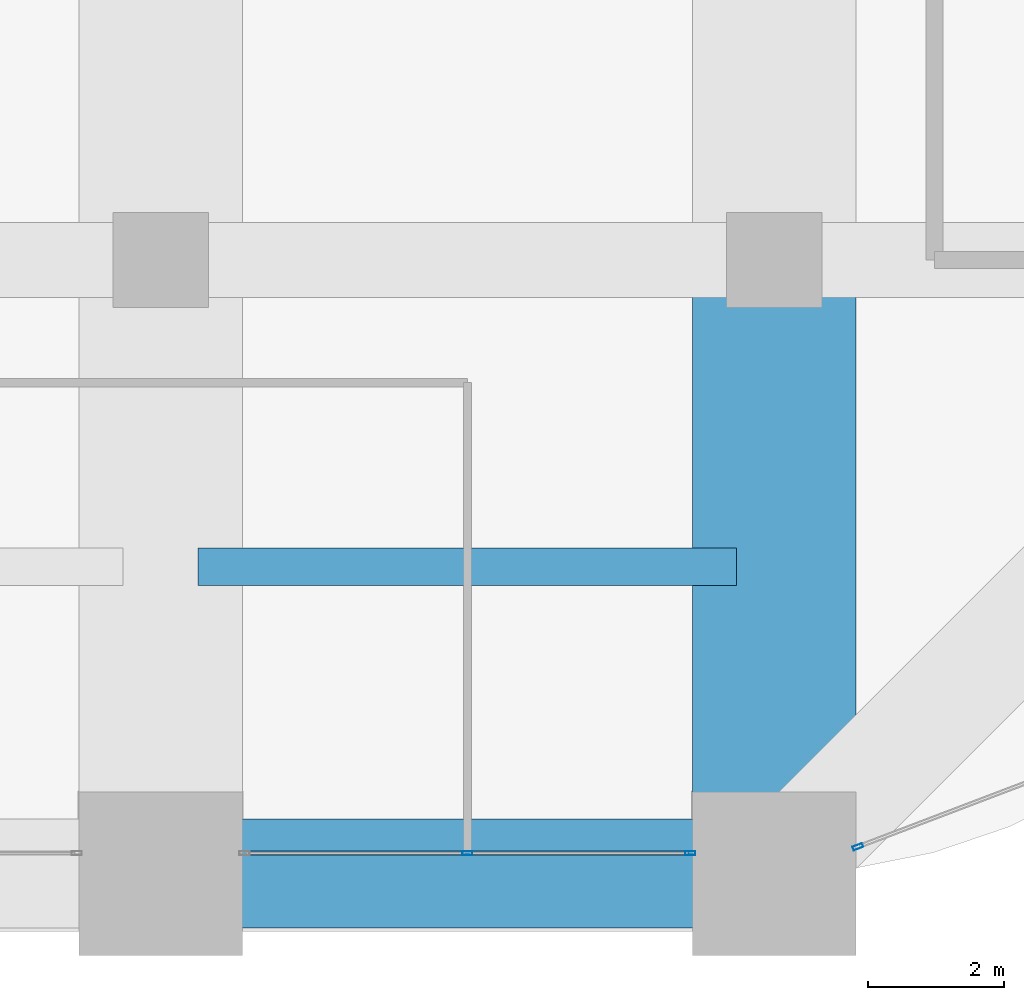
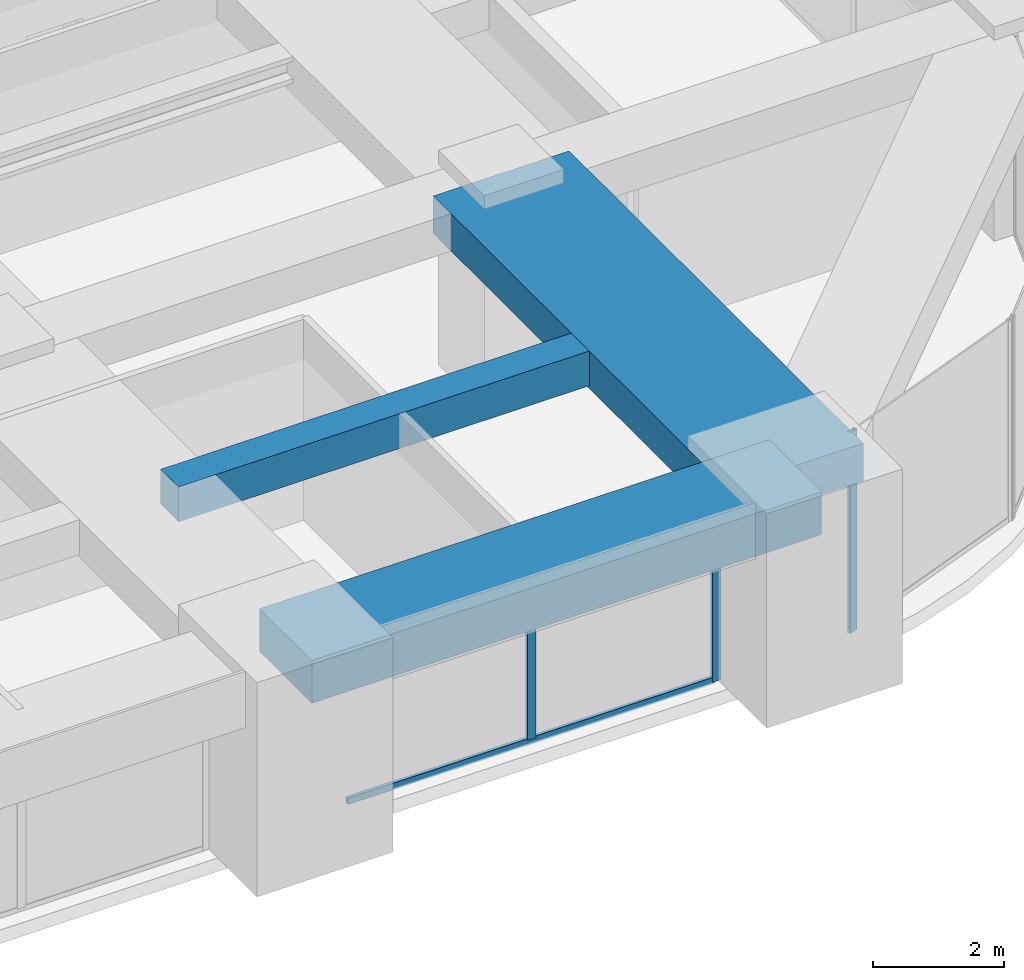
# One storey, part 14 of 34: 4 members, 3 beams, 2 elements without a shape of their own.
"""IFC4 building model written with IfcOpenShell, lengths in metres."""

from ifc_helpers import new_model, si_unit, direction, frame, origin, origin_2d, place, context, subcontext, project, spatial, rectangle, hollow_rectangle, extrude, material, material_profile, profile_set, type_object, element, aggregate, save


model = new_model("IFC4")

# Units and contexts
model_context = context("Model", 3, precision=1e-05, world=origin(), true_north=direction((0.0, 1.0)))
body_context = subcontext(model_context, "Body", "Model", "MODEL_VIEW")
ifc_project = project(units=[si_unit("LENGTHUNIT", "METRE"), si_unit("AREAUNIT", "SQUARE_METRE"), si_unit("VOLUMEUNIT", "CUBIC_METRE"), si_unit("PLANEANGLEUNIT", "RADIAN"), si_unit("MASSUNIT", "GRAM", prefix="KILO")], contexts=[model_context])

# Site, building, storey
site_placement = place(None, origin())
site = spatial("IfcSite", under=ifc_project, at=site_placement, CompositionType="ELEMENT")
building_placement = place(site_placement, origin())
building = spatial("IfcBuilding", under=site, at=building_placement, Name="Zorevar Civic Tower", CompositionType="ELEMENT")
storey_placement = place(building_placement, frame((0.0, 0.0, 226.199951171875)))
storey = spatial("IfcBuildingStorey", under=building, at=storey_placement, Name="L55", CompositionType="ELEMENT", Elevation=226.199951171875)

# Beams
ifc_material_1 = material(Name="Concrete C50/60", Category="concrete")
ifc_material_profile_1 = material_profile(ifc_material_1, rectangle(XDim=2.39990234375, YDim=0.699951171875, at=origin_2d()), Name="RC 2400x700")
ifc_profile_set_1 = profile_set([ifc_material_profile_1], Name="Concrete C50/60")
beam_type_1 = type_object("IfcBeamType", Name="Beam RC 2400x700", PredefinedType="BEAM", material=ifc_profile_set_1)
beam_1_placement = place(storey_placement, frame((45.0, 0.0, 3.400146484375), z_axis=(0.0, 1.0, 0.0), x_axis=(-1.0, 0.0, 0.0)))
element("IfcBeam", 1, at=beam_1_placement, inside=storey, type_object=beam_type_1, Name="Girder L56", PredefinedType="BEAM", context=body_context, shape_type="SweptSolid", body=[
    extrude(rectangle(XDim=2.39990234375, YDim=0.699951171875, at=origin_2d()), origin(), (0.0, 0.0, 1.0), 9.0),
])
ifc_material_2 = material(Name="Concrete C50/60", Category="concrete")
ifc_material_profile_2 = material_profile(ifc_material_2, rectangle(XDim=0.550048828125, YDim=0.64990234375, at=origin_2d()), Name="RC 550x650")
ifc_profile_set_2 = profile_set([ifc_material_profile_2], Name="Concrete C50/60")
beam_type_2 = type_object("IfcBeamType", Name="Beam RC 550x650", PredefinedType="BEAM", material=ifc_profile_set_2)
beam_2_placement = place(storey_placement, frame((36.550048828125, 4.5, 3.425048828125), z_axis=(1.0, 0.0, 0.0), x_axis=(0.0, 1.0, 0.0)))
element("IfcBeam", 2, at=beam_2_placement, inside=storey, type_object=beam_type_2, Name="Secondary beam L56", PredefinedType="BEAM", context=body_context, shape_type="SweptSolid", body=[
    extrude(rectangle(XDim=0.550048828125, YDim=0.64990234375, at=origin_2d()), origin(), (0.0, 0.0, 1.0), 7.89990234375),
])

# Curtain wall, members
ifc_material_3 = material(Name="Dark grey solar-control glass in black aluminium frame", Category="aluminium")
curtain_wall_type = type_object("IfcCurtainWallType", Name="Curtain wall CW4 high zone", PredefinedType="NOTDEFINED", material=ifc_material_3)
curtain_wall_1_placement = place(storey_placement, origin())
curtain_wall_1 = element("IfcCurtainWall", 3, at=curtain_wall_1_placement, inside=storey, type_object=curtain_wall_type, Name="CW4 L55", PredefinedType="NOTDEFINED")
ifc_material_4 = material(Name="Aluminium, black anodised", Category="aluminium")
ifc_material_profile_3 = material_profile(ifc_material_4, hollow_rectangle(XDim=0.06005859375, YDim=0.14990234375, WallThickness=0.00390625, at=origin_2d()), Name="AL 150x60x4")
ifc_profile_set_3 = profile_set([ifc_material_profile_3], Name="Aluminium, black anodised")
member_type_1 = type_object("IfcMemberType", Name="CW4 mullion AL 150x60x4", PredefinedType="MULLION", material=ifc_profile_set_3)
member_1_placement = place(storey_placement, frame((40.5, 0.300048828125, 0.06005859375), z_axis=(0.0, 0.0, 1.0), x_axis=(0.0, 1.0, 0.0)))
member_1 = element("IfcMember", 4, at=member_1_placement, type_object=member_type_1, Name="CW4 mullion 2", PredefinedType="MULLION", context=body_context, shape_type="SweptSolid", body=[
    extrude(hollow_rectangle(XDim=0.06005859375, YDim=0.14990234375, WallThickness=0.00390625, at=origin_2d()), origin(), (0.0, 0.0, 1.0), 2.889892578125),
])
member_2_placement = place(storey_placement, frame((43.77001953125, 0.300048828125, 0.0), z_axis=(0.0, 0.0, 1.0), x_axis=(0.0, 1.0, 0.0)))
member_2 = element("IfcMember", 5, at=member_2_placement, type_object=member_type_1, Name="CW4 mullion 3", PredefinedType="MULLION", context=body_context, shape_type="SweptSolid", body=[
    extrude(hollow_rectangle(XDim=0.06005859375, YDim=0.14990234375, WallThickness=0.00390625, at=origin_2d()), origin(), (0.0, 0.0, 1.0), 2.949951171875),
])

# Curtain wall, member
curtain_wall_2_placement = place(storey_placement, origin())
curtain_wall_2 = element("IfcCurtainWall", 6, at=curtain_wall_2_placement, inside=storey, type_object=curtain_wall_type, Name="CW4 L55", PredefinedType="NOTDEFINED")
member_3_placement = place(storey_placement, frame((46.22802734375, 0.393798828125, 0.0), z_axis=(0.0, 0.0, 1.0), x_axis=(-0.355730895803, 0.93458842801, 0.0)))
member_3 = element("IfcMember", 7, at=member_3_placement, type_object=member_type_1, Name="CW4 mullion 1", PredefinedType="MULLION", context=body_context, shape_type="SweptSolid", body=[
    extrude(hollow_rectangle(XDim=0.06005859375, YDim=0.14990234375, WallThickness=0.00390625, at=origin_2d()), origin(), (0.0, 0.0, 1.0), 3.75),
])
aggregate(curtain_wall_2, [member_3])

# Member
ifc_material_5 = material(Name="Aluminium, black anodised", Category="aluminium")
ifc_material_profile_4 = material_profile(ifc_material_5, hollow_rectangle(XDim=0.06005859375, YDim=0.1201171875, WallThickness=0.0029296875, at=origin_2d()), Name="AL 120x60x3")
ifc_profile_set_4 = profile_set([ifc_material_profile_4], Name="Aluminium, black anodised")
member_type_2 = type_object("IfcMemberType", Name="CW4 transom AL 120x60x3", PredefinedType="USERDEFINED", material=ifc_profile_set_4)
member_4_placement = place(storey_placement, frame((37.260009765625, 0.300048828125, 0.030029296875), z_axis=(1.0, 0.0, 0.0), x_axis=(0.0, 1.0, 0.0)))
member_4 = element("IfcMember", 8, at=member_4_placement, type_object=member_type_2, Name="CW4 sill transom", ObjectType="TRANSOM", PredefinedType="USERDEFINED", context=body_context, shape_type="SweptSolid", body=[
    extrude(hollow_rectangle(XDim=0.06005859375, YDim=0.1201171875, WallThickness=0.0029296875, at=origin_2d()), origin(), (0.0, 0.0, 1.0), 6.47998046875),
])

aggregate(curtain_wall_1, [member_1, member_2, member_4])

# Beam
ifc_material_6 = material(Name="Concrete C50/60", Category="concrete")
ifc_material_profile_5 = material_profile(ifc_material_6, rectangle(XDim=1.60009765625, YDim=0.800048828125, at=origin_2d()), Name="RC 1600x800")
ifc_profile_set_5 = profile_set([ifc_material_profile_5], Name="Concrete C50/60")
beam_type_3 = type_object("IfcBeamType", Name="Edge beam RC 1600x800", PredefinedType="SPANDREL", material=ifc_profile_set_5)
beam_3_placement = place(storey_placement, frame((36.0, 0.0, 3.35009765625), z_axis=(1.0, 0.0, 0.0), x_axis=(0.0, 1.0, 0.0)))
element("IfcBeam", 9, at=beam_3_placement, inside=storey, type_object=beam_type_3, Name="Edge beam L56", PredefinedType="SPANDREL", context=body_context, shape_type="SweptSolid", body=[
    extrude(rectangle(XDim=1.60009765625, YDim=0.800048828125, at=origin_2d()), origin(), (0.0, 0.0, 1.0), 9.0),
])

save(model, "model.ifc")
